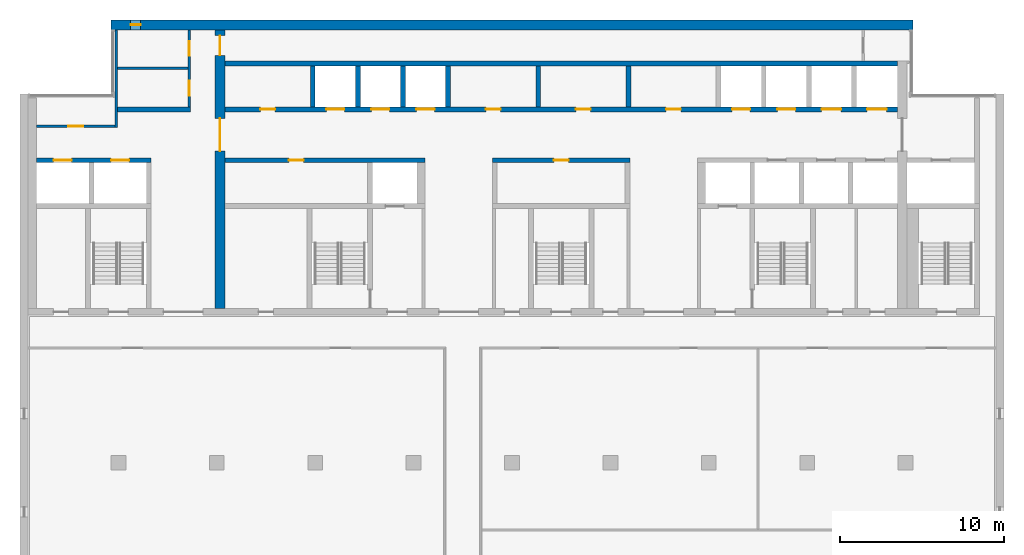
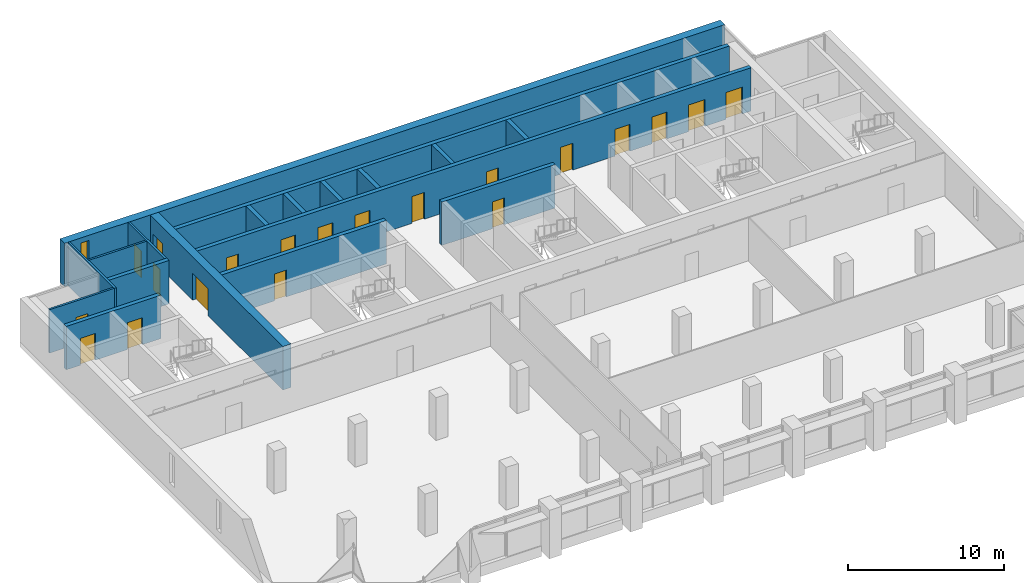
# One storey, part 10 of 14: 20 doors, 18 walls, 1 window, 21 openings.
"""IFC4 building model written with IfcOpenShell, lengths in metres."""

from ifc_helpers import new_model, si_unit, direction, frame, frame_2d, origin, place, context, subcontext, project, spatial, rectangle, extrude, material, layer, layer_set, type_object, element, fill, save


model = new_model("IFC4")

# Units and contexts
model_context = context("Model", 3, precision=1e-05, world=origin(), true_north=direction((0.0, 1.0)))
body_context = subcontext(model_context, "Body", "Model", "MODEL_VIEW")
ifc_project = project(units=[si_unit("LENGTHUNIT", "METRE"), si_unit("AREAUNIT", "SQUARE_METRE"), si_unit("VOLUMEUNIT", "CUBIC_METRE"), si_unit("PLANEANGLEUNIT", "RADIAN"), si_unit("MASSUNIT", "GRAM", prefix="KILO")], contexts=[model_context])

# Site, building, storey
site_placement = place(None, origin())
site = spatial("IfcSite", under=ifc_project, at=site_placement, CompositionType="ELEMENT")
building_placement = place(site_placement, origin())
building = spatial("IfcBuilding", under=site, at=building_placement, Name="Calvaro Tower", CompositionType="ELEMENT")
storey_placement = place(building_placement, frame((0.0, 0.0, 243.14990234375)))
storey = spatial("IfcBuildingStorey", under=building, at=storey_placement, Name="L61", CompositionType="ELEMENT", Elevation=243.14990234375)

# Wall
ifc_material_1 = material(Name="Blockwork partition", Category="masonry")
ifc_layer_1 = layer(ifc_material_1, 0.14990234375)
ifc_layer_set_1 = layer_set([ifc_layer_1], Name="Blockwork partition")
wall_type_1 = type_object("IfcWallType", Name="Core partition 150 EI 60", PredefinedType="PARTITIONING", material=ifc_layer_set_1)
wall_1_placement = place(storey_placement, frame((11.949951171875, 43.050048828125, 0.0), z_axis=(0.0, 0.0, 1.0), x_axis=(1.0, 0.0, 0.0)))
element("IfcWall", 1, at=wall_1_placement, inside=storey, type_object=wall_type_1, Name="Core partition", PredefinedType="PARTITIONING", context=body_context, shape_type="SweptSolid", body=[
    extrude(rectangle(XDim=4.300048828125, YDim=0.14990234375, at=frame_2d((2.14990234375, 0.0))), origin(), (0.0, 0.0, 1.0), 3.400146484375),
])

# Wall, openings, doors
ifc_material_2 = material(Name="Blockwork partition", Category="masonry")
ifc_layer_2 = layer(ifc_material_2, 0.14990234375)
ifc_layer_set_2 = layer_set([ifc_layer_2], Name="Blockwork partition")
wall_type_2 = type_object("IfcWallType", Name="Core partition 150 REI 120", PredefinedType="PARTITIONING", material=ifc_layer_set_2)
wall_2_placement = place(storey_placement, frame((16.324951171875, 45.39990234375, 0.0), z_axis=(0.0, 0.0, 1.0), x_axis=(0.0, -1.0, 0.0)))
wall_2 = element("IfcWall", 2, at=wall_2_placement, inside=storey, type_object=wall_type_2, Name="Core partition", PredefinedType="PARTITIONING", context=body_context, shape_type="SweptSolid", body=[
    extrude(rectangle(XDim=4.699951171875, YDim=0.14990234375, at=frame_2d((2.35009765625, 0.0))), origin(), (0.0, 0.0, 1.0), 3.400146484375),
])
opening_1_placement = place(wall_2_placement, frame((3.112548828125, 0.0, 0.0)))
opening_1 = element("IfcOpeningElement", 3, at=opening_1_placement, cuts=wall_2, Name="Opening RD9", PredefinedType="OPENING", context=body_context, shape_type="SweptSolid", body=[
    extrude(rectangle(XDim=0.89990234375, YDim=2.10009765625, at=frame_2d((0.449951171875, 1.050048828125))), frame((0.0, 0.0849609375, 0.0), z_axis=(0.0, -1.0, 0.0), x_axis=(1.0, 0.0, 0.0)), (0.0, 0.0, 1.0), 0.169921875),
])
opening_2_placement = place(wall_2_placement, frame((0.6875, 0.0, 0.0)))
opening_2 = element("IfcOpeningElement", 4, at=opening_2_placement, cuts=wall_2, Name="Opening RD9", PredefinedType="OPENING", context=body_context, shape_type="SweptSolid", body=[
    extrude(rectangle(XDim=0.89990234375, YDim=2.10009765625, at=frame_2d((0.449951171875, 1.050048828125))), frame((0.0, 0.0849609375, 0.0), z_axis=(0.0, -1.0, 0.0), x_axis=(1.0, 0.0, 0.0)), (0.0, 0.0, 1.0), 0.169921875),
])
ifc_material_3 = material(Name="Steel door set", Category="steel")
door_type_1 = type_object("IfcDoorType", Name="Room door 900", OperationType="SINGLE_SWING_LEFT", PredefinedType="DOOR", material=ifc_material_3)
door_1_placement = place(opening_1_placement, origin())
door_1 = element("IfcDoor", 5, at=door_1_placement, inside=storey, type_object=door_type_1, Name="Room door", OperationType="SINGLE_SWING_RIGHT", OverallHeight=2.10009765625, OverallWidth=0.89990234375, PredefinedType="DOOR", context=body_context, shape_type="SweptSolid", body=[
    extrude(rectangle(XDim=0.89990234375, YDim=2.10009765625, at=frame_2d((0.449951171875, 1.050048828125))), frame((0.0, 0.02490234375, 0.0), z_axis=(0.0, -1.0, 0.0), x_axis=(1.0, 0.0, 0.0)), (0.0, 0.0, 1.0), 0.050048828125),
])
fill(opening_1, door_1)
door_2_placement = place(opening_2_placement, origin())
door_2 = element("IfcDoor", 6, at=door_2_placement, inside=storey, type_object=door_type_1, Name="Room door", OperationType="SINGLE_SWING_LEFT", OverallHeight=2.10009765625, OverallWidth=0.89990234375, PredefinedType="DOOR", context=body_context, shape_type="SweptSolid", body=[
    extrude(rectangle(XDim=0.89990234375, YDim=2.10009765625, at=frame_2d((0.449951171875, 1.050048828125))), frame((0.0, 0.02490234375, 0.0), z_axis=(0.0, -1.0, 0.0), x_axis=(1.0, 0.0, 0.0)), (0.0, 0.0, 1.0), 0.050048828125),
])
fill(opening_2, door_2)

# Wall
wall_3_placement = place(storey_placement, frame((11.875, 39.449951171875, 0.0), z_axis=(0.0, 0.0, 1.0), x_axis=(0.0, 1.0, 0.0)))
element("IfcWall", 7, at=wall_3_placement, inside=storey, type_object=wall_type_2, Name="Core partition", PredefinedType="PARTITIONING", context=body_context, shape_type="SweptSolid", body=[
    extrude(rectangle(XDim=5.949951171875, YDim=0.14990234375, at=frame_2d((2.97509765625, 0.0))), origin(), (0.0, 0.0, 1.0), 3.400146484375),
])

# Wall, opening, door
wall_4_placement = place(storey_placement, frame((7.0, 39.52490234375, 0.0), z_axis=(0.0, 0.0, 1.0), x_axis=(1.0, 0.0, 0.0)))
wall_4 = element("IfcWall", 8, at=wall_4_placement, inside=storey, type_object=wall_type_2, Name="Core partition", PredefinedType="PARTITIONING", context=body_context, shape_type="SweptSolid", body=[
    extrude(rectangle(XDim=4.800048828125, YDim=0.14990234375, at=frame_2d((2.39990234375, 0.0))), origin(), (0.0, 0.0, 1.0), 3.400146484375),
])
opening_3_placement = place(wall_4_placement, frame((1.949951171875, 0.0, 0.0)))
opening_3 = element("IfcOpeningElement", 9, at=opening_3_placement, cuts=wall_4, Name="Opening RD9", PredefinedType="OPENING", context=body_context, shape_type="SweptSolid", body=[
    extrude(rectangle(XDim=0.89990234375, YDim=2.10009765625, at=frame_2d((0.449951171875, 1.050048828125))), frame((0.0, 0.0849609375, 0.0), z_axis=(0.0, -1.0, 0.0), x_axis=(1.0, 0.0, 0.0)), (0.0, 0.0, 1.0), 0.169921875),
])
door_3_placement = place(opening_3_placement, origin())
door_3 = element("IfcDoor", 10, at=door_3_placement, inside=storey, type_object=door_type_1, Name="Room door", OperationType="SINGLE_SWING_LEFT", OverallHeight=2.10009765625, OverallWidth=0.89990234375, PredefinedType="DOOR", context=body_context, shape_type="SweptSolid", body=[
    extrude(rectangle(XDim=0.89990234375, YDim=2.10009765625, at=frame_2d((0.449951171875, 1.050048828125))), frame((0.0, 0.02490234375, 0.0), z_axis=(0.0, -1.0, 0.0), x_axis=(1.0, 0.0, 0.0)), (0.0, 0.0, 1.0), 0.050048828125),
])
fill(opening_3, door_3)

# Walls
ifc_material_4 = material(Name="Blockwork partition", Category="masonry")
ifc_layer_3 = layer(ifc_material_4, 0.300048828125)
ifc_layer_set_3 = layer_set([ifc_layer_3], Name="Blockwork partition")
wall_type_3 = type_object("IfcWallType", Name="Core partition 300 EI 60", PredefinedType="PARTITIONING", material=ifc_layer_set_3)
wall_5_placement = place(storey_placement, frame((37.60009765625, 40.699951171875, 0.0), z_axis=(0.0, 0.0, 1.0), x_axis=(0.0, 1.0, 0.0)))
element("IfcWall", 11, at=wall_5_placement, inside=storey, type_object=wall_type_3, Name="Core partition", PredefinedType="PARTITIONING", context=body_context, shape_type="SweptSolid", body=[
    extrude(rectangle(XDim=2.5, YDim=0.300048828125, at=frame_2d((1.25, 0.0))), origin(), (0.0, 0.0, 1.0), 3.400146484375),
])
ifc_material_5 = material(Name="Blockwork partition", Category="masonry")
ifc_layer_4 = layer(ifc_material_5, 0.300048828125)
ifc_layer_set_4 = layer_set([ifc_layer_4], Name="Blockwork partition")
wall_type_4 = type_object("IfcWallType", Name="Core partition 300 REI 120", PredefinedType="PARTITIONING", material=ifc_layer_set_4)
wall_6_placement = place(storey_placement, frame((11.949951171875, 40.550048828125, 0.0), z_axis=(0.0, 0.0, 1.0), x_axis=(1.0, 0.0, 0.0)))
element("IfcWall", 12, at=wall_6_placement, inside=storey, type_object=wall_type_4, Name="Core partition", PredefinedType="PARTITIONING", context=body_context, shape_type="SweptSolid", body=[
    extrude(rectangle(XDim=4.449951171875, YDim=0.300048828125, at=frame_2d((2.22509765625, 0.0))), origin(), (0.0, 0.0, 1.0), 3.400146484375),
])
wall_7_placement = place(storey_placement, frame((43.10009765625, 40.699951171875, 0.0), z_axis=(0.0, 0.0, 1.0), x_axis=(0.0, 1.0, 0.0)))
element("IfcWall", 13, at=wall_7_placement, inside=storey, type_object=wall_type_4, Name="Core partition", PredefinedType="PARTITIONING", context=body_context, shape_type="SweptSolid", body=[
    extrude(rectangle(XDim=2.5, YDim=0.300048828125, at=frame_2d((1.25, 0.0))), origin(), (0.0, 0.0, 1.0), 3.400146484375),
])

# Wall, openings, doors
ifc_material_6 = material(Name="Concrete C40/50", Category="concrete")
ifc_layer_5 = layer(ifc_material_6, 0.300048828125)
ifc_layer_set_5 = layer_set([ifc_layer_5], Name="Concrete C40/50")
wall_type_5 = type_object("IfcWallType", Name="Core wall C40/50 300", PredefinedType="SHEAR", material=ifc_layer_set_5)
wall_8_placement = place(storey_placement, frame((7.0, 37.449951171875, 0.0), z_axis=(0.0, 0.0, 1.0), x_axis=(1.0, 0.0, 0.0)))
wall_8 = element("IfcWall", 14, at=wall_8_placement, inside=storey, type_object=wall_type_5, Name="Core wall, lift shaft", PredefinedType="SHEAR", context=body_context, shape_type="SweptSolid", body=[
    extrude(rectangle(XDim=7.0, YDim=0.300048828125, at=frame_2d((3.5, 0.0))), origin(), (0.0, 0.0, 1.0), 3.400146484375),
])
opening_4_placement = place(wall_8_placement, frame((1.050048828125, 0.0, 0.0)))
opening_4 = element("IfcOpeningElement", 15, at=opening_4_placement, cuts=wall_8, Name="Opening EX1", PredefinedType="OPENING", context=body_context, shape_type="SweptSolid", body=[
    extrude(rectangle(XDim=1.10009765625, YDim=2.10009765625, at=frame_2d((0.550048828125, 1.050048828125))), frame((0.0, 0.159912109375, 0.0), z_axis=(0.0, -1.0, 0.0), x_axis=(1.0, 0.0, 0.0)), (0.0, 0.0, 1.0), 0.320068359375),
])
opening_5_placement = place(wall_8_placement, frame((4.550048828125, 0.0, 0.0)))
opening_5 = element("IfcOpeningElement", 16, at=opening_5_placement, cuts=wall_8, Name="Opening EX2", PredefinedType="OPENING", context=body_context, shape_type="SweptSolid", body=[
    extrude(rectangle(XDim=1.10009765625, YDim=2.10009765625, at=frame_2d((0.550048828125, 1.050048828125))), frame((0.0, 0.159912109375, 0.0), z_axis=(0.0, -1.0, 0.0), x_axis=(1.0, 0.0, 0.0)), (0.0, 0.0, 1.0), 0.320068359375),
])
ifc_material_7 = material(Name="Stainless steel", Category="steel")
door_type_2 = type_object("IfcDoorType", Name="Landing door 1100 E 60", OperationType="SLIDING_TO_LEFT", PredefinedType="DOOR", material=ifc_material_7)
door_4_placement = place(opening_4_placement, origin())
door_4 = element("IfcDoor", 17, at=door_4_placement, inside=storey, type_object=door_type_2, Name="Landing door EX1", OperationType="SLIDING_TO_LEFT", OverallHeight=2.10009765625, OverallWidth=1.10009765625, PredefinedType="DOOR", context=body_context, shape_type="SweptSolid", body=[
    extrude(rectangle(XDim=1.10009765625, YDim=2.10009765625, at=frame_2d((0.550048828125, 1.050048828125))), frame((0.0, 0.02490234375, 0.0), z_axis=(0.0, -1.0, 0.0), x_axis=(1.0, 0.0, 0.0)), (0.0, 0.0, 1.0), 0.050048828125),
])
fill(opening_4, door_4)
door_5_placement = place(opening_5_placement, origin())
door_5 = element("IfcDoor", 18, at=door_5_placement, inside=storey, type_object=door_type_2, Name="Landing door EX2", OperationType="SLIDING_TO_LEFT", OverallHeight=2.10009765625, OverallWidth=1.10009765625, PredefinedType="DOOR", context=body_context, shape_type="SweptSolid", body=[
    extrude(rectangle(XDim=1.10009765625, YDim=2.10009765625, at=frame_2d((0.550048828125, 1.050048828125))), frame((0.0, 0.02490234375, 0.0), z_axis=(0.0, -1.0, 0.0), x_axis=(1.0, 0.0, 0.0)), (0.0, 0.0, 1.0), 0.050048828125),
])
fill(opening_5, door_5)

# Wall, opening, door
wall_9_placement = place(storey_placement, frame((30.699951171875, 37.449951171875, 0.0), z_axis=(0.0, 0.0, 1.0), x_axis=(-1.0, 0.0, 0.0)))
wall_9 = element("IfcWall", 19, at=wall_9_placement, inside=storey, type_object=wall_type_5, Name="Core wall, bay", PredefinedType="SHEAR", context=body_context, shape_type="SweptSolid", body=[
    extrude(rectangle(XDim=12.199951171875, YDim=0.300048828125, at=frame_2d((6.10009765625, 0.0))), origin(), (0.0, 0.0, 1.0), 3.400146484375),
])
opening_6_placement = place(wall_9_placement, frame((7.39990234375, 0.0, 0.0)))
opening_6 = element("IfcOpeningElement", 20, at=opening_6_placement, cuts=wall_9, Name="Opening RD9E", PredefinedType="OPENING", context=body_context, shape_type="SweptSolid", body=[
    extrude(rectangle(XDim=0.89990234375, YDim=2.10009765625, at=frame_2d((0.449951171875, 1.050048828125))), frame((0.0, 0.159912109375, 0.0), z_axis=(0.0, -1.0, 0.0), x_axis=(1.0, 0.0, 0.0)), (0.0, 0.0, 1.0), 0.320068359375),
])
ifc_material_8 = material(Name="Steel door set", Category="steel")
door_type_3 = type_object("IfcDoorType", Name="Room door 900 FD60", OperationType="SINGLE_SWING_LEFT", PredefinedType="DOOR", material=ifc_material_8)
door_6_placement = place(opening_6_placement, origin())
door_6 = element("IfcDoor", 21, at=door_6_placement, inside=storey, type_object=door_type_3, Name="Room door", OperationType="SINGLE_SWING_LEFT", OverallHeight=2.10009765625, OverallWidth=0.89990234375, PredefinedType="DOOR", context=body_context, shape_type="SweptSolid", body=[
    extrude(rectangle(XDim=0.89990234375, YDim=2.10009765625, at=frame_2d((0.449951171875, 1.050048828125))), frame((0.0, 0.02490234375, 0.0), z_axis=(0.0, -1.0, 0.0), x_axis=(1.0, 0.0, 0.0)), (0.0, 0.0, 1.0), 0.050048828125),
])
fill(opening_6, door_6)

wall_10_placement = place(storey_placement, frame((43.199951171875, 37.449951171875, 0.0), z_axis=(0.0, 0.0, 1.0), x_axis=(-1.0, 0.0, 0.0)))
wall_10 = element("IfcWall", 22, at=wall_10_placement, inside=storey, type_object=wall_type_5, Name="Core wall, bay", PredefinedType="SHEAR", context=body_context, shape_type="SweptSolid", body=[
    extrude(rectangle(XDim=8.39990234375, YDim=0.300048828125, at=frame_2d((4.199951171875, 0.0))), origin(), (0.0, 0.0, 1.0), 3.400146484375),
])
opening_7_placement = place(wall_10_placement, frame((3.75, 0.0, 0.0)))
opening_7 = element("IfcOpeningElement", 23, at=opening_7_placement, cuts=wall_10, Name="Opening RD9E", PredefinedType="OPENING", context=body_context, shape_type="SweptSolid", body=[
    extrude(rectangle(XDim=0.89990234375, YDim=2.10009765625, at=frame_2d((0.449951171875, 1.050048828125))), frame((0.0, 0.159912109375, 0.0), z_axis=(0.0, -1.0, 0.0), x_axis=(1.0, 0.0, 0.0)), (0.0, 0.0, 1.0), 0.320068359375),
])
door_7_placement = place(opening_7_placement, origin())
door_7 = element("IfcDoor", 24, at=door_7_placement, inside=storey, type_object=door_type_3, Name="Room door", OperationType="SINGLE_SWING_RIGHT", OverallHeight=2.10009765625, OverallWidth=0.89990234375, PredefinedType="DOOR", context=body_context, shape_type="SweptSolid", body=[
    extrude(rectangle(XDim=0.89990234375, YDim=2.10009765625, at=frame_2d((0.449951171875, 1.050048828125))), frame((0.0, 0.02490234375, 0.0), z_axis=(0.0, -1.0, 0.0), x_axis=(1.0, 0.0, 0.0)), (0.0, 0.0, 1.0), 0.050048828125),
])
fill(opening_7, door_7)

# Wall, openings, doors
wall_11_placement = place(storey_placement, frame((18.5, 40.550048828125, 0.0), z_axis=(0.0, 0.0, 1.0), x_axis=(1.0, 0.0, 0.0)))
wall_11 = element("IfcWall", 25, at=wall_11_placement, inside=storey, type_object=wall_type_5, Name="Core wall, bay", PredefinedType="SHEAR", context=body_context, shape_type="SweptSolid", body=[
    extrude(rectangle(XDim=41.0, YDim=0.300048828125, at=frame_2d((20.5, 0.0))), origin(), (0.0, 0.0, 1.0), 3.400146484375),
])
opening_8_placement = place(wall_11_placement, frame((2.14990234375, 0.0, 0.0)))
opening_8 = element("IfcOpeningElement", 26, at=opening_8_placement, cuts=wall_11, Name="Opening RD9E", PredefinedType="OPENING", context=body_context, shape_type="SweptSolid", body=[
    extrude(rectangle(XDim=0.89990234375, YDim=2.10009765625, at=frame_2d((0.449951171875, 1.050048828125))), frame((0.0, 0.159912109375, 0.0), z_axis=(0.0, -1.0, 0.0), x_axis=(1.0, 0.0, 0.0)), (0.0, 0.0, 1.0), 0.320068359375),
])
opening_9_placement = place(wall_11_placement, frame((15.89990234375, 0.0, 0.0)))
opening_9 = element("IfcOpeningElement", 27, at=opening_9_placement, cuts=wall_11, Name="Opening RD9E", PredefinedType="OPENING", context=body_context, shape_type="SweptSolid", body=[
    extrude(rectangle(XDim=0.89990234375, YDim=2.10009765625, at=frame_2d((0.449951171875, 1.050048828125))), frame((0.0, 0.159912109375, 0.0), z_axis=(0.0, -1.0, 0.0), x_axis=(1.0, 0.0, 0.0)), (0.0, 0.0, 1.0), 0.320068359375),
])
opening_10_placement = place(wall_11_placement, frame((21.39990234375, 0.0, 0.0)))
opening_10 = element("IfcOpeningElement", 28, at=opening_10_placement, cuts=wall_11, Name="Opening RD9E", PredefinedType="OPENING", context=body_context, shape_type="SweptSolid", body=[
    extrude(rectangle(XDim=0.89990234375, YDim=2.10009765625, at=frame_2d((0.449951171875, 1.050048828125))), frame((0.0, 0.159912109375, 0.0), z_axis=(0.0, -1.0, 0.0), x_axis=(1.0, 0.0, 0.0)), (0.0, 0.0, 1.0), 0.320068359375),
])
opening_11_placement = place(wall_11_placement, frame((26.89990234375, 0.0, 0.0)))
opening_11 = element("IfcOpeningElement", 29, at=opening_11_placement, cuts=wall_11, Name="Opening RD9E", PredefinedType="OPENING", context=body_context, shape_type="SweptSolid", body=[
    extrude(rectangle(XDim=0.89990234375, YDim=2.10009765625, at=frame_2d((0.449951171875, 1.050048828125))), frame((0.0, 0.159912109375, 0.0), z_axis=(0.0, -1.0, 0.0), x_axis=(1.0, 0.0, 0.0)), (0.0, 0.0, 1.0), 0.320068359375),
])
opening_12_placement = place(wall_11_placement, frame((6.175048828125, 0.0, 0.0)))
opening_12 = element("IfcOpeningElement", 30, at=opening_12_placement, cuts=wall_11, Name="Opening HR4", PredefinedType="OPENING", context=body_context, shape_type="SweptSolid", body=[
    extrude(rectangle(XDim=1.10009765625, YDim=2.10009765625, at=frame_2d((0.550048828125, 1.050048828125))), frame((0.0, 0.159912109375, 0.0), z_axis=(0.0, -1.0, 0.0), x_axis=(1.0, 0.0, 0.0)), (0.0, 0.0, 1.0), 0.320068359375),
])
opening_13_placement = place(wall_11_placement, frame((8.925048828125, 0.0, 0.0)))
opening_13 = element("IfcOpeningElement", 31, at=opening_13_placement, cuts=wall_11, Name="Opening HR5", PredefinedType="OPENING", context=body_context, shape_type="SweptSolid", body=[
    extrude(rectangle(XDim=1.10009765625, YDim=2.10009765625, at=frame_2d((0.550048828125, 1.050048828125))), frame((0.0, 0.159912109375, 0.0), z_axis=(0.0, -1.0, 0.0), x_axis=(1.0, 0.0, 0.0)), (0.0, 0.0, 1.0), 0.320068359375),
])
opening_14_placement = place(wall_11_placement, frame((11.675048828125, 0.0, 0.0)))
opening_14 = element("IfcOpeningElement", 32, at=opening_14_placement, cuts=wall_11, Name="Opening HR6", PredefinedType="OPENING", context=body_context, shape_type="SweptSolid", body=[
    extrude(rectangle(XDim=1.10009765625, YDim=2.10009765625, at=frame_2d((0.550048828125, 1.050048828125))), frame((0.0, 0.159912109375, 0.0), z_axis=(0.0, -1.0, 0.0), x_axis=(1.0, 0.0, 0.0)), (0.0, 0.0, 1.0), 0.320068359375),
])
opening_15_placement = place(wall_11_placement, frame((30.925048828125, 0.0, 0.0)))
opening_15 = element("IfcOpeningElement", 33, at=opening_15_placement, cuts=wall_11, Name="Opening HR7", PredefinedType="OPENING", context=body_context, shape_type="SweptSolid", body=[
    extrude(rectangle(XDim=1.10009765625, YDim=2.10009765625, at=frame_2d((0.550048828125, 1.050048828125))), frame((0.0, 0.159912109375, 0.0), z_axis=(0.0, -1.0, 0.0), x_axis=(1.0, 0.0, 0.0)), (0.0, 0.0, 1.0), 0.320068359375),
])
opening_16_placement = place(wall_11_placement, frame((33.675048828125, 0.0, 0.0)))
opening_16 = element("IfcOpeningElement", 34, at=opening_16_placement, cuts=wall_11, Name="Opening HR8", PredefinedType="OPENING", context=body_context, shape_type="SweptSolid", body=[
    extrude(rectangle(XDim=1.10009765625, YDim=2.10009765625, at=frame_2d((0.550048828125, 1.050048828125))), frame((0.0, 0.159912109375, 0.0), z_axis=(0.0, -1.0, 0.0), x_axis=(1.0, 0.0, 0.0)), (0.0, 0.0, 1.0), 0.320068359375),
])
opening_17_placement = place(wall_11_placement, frame((36.375, 0.0, 0.0)))
opening_17 = element("IfcOpeningElement", 35, at=opening_17_placement, cuts=wall_11, Name="Opening SV1", PredefinedType="OPENING", context=body_context, shape_type="SweptSolid", body=[
    extrude(rectangle(XDim=1.199951171875, YDim=2.10009765625, at=frame_2d((0.60009765625, 1.050048828125))), frame((0.0, 0.159912109375, 0.0), z_axis=(0.0, -1.0, 0.0), x_axis=(1.0, 0.0, 0.0)), (0.0, 0.0, 1.0), 0.320068359375),
])
opening_18_placement = place(wall_11_placement, frame((39.14990234375, 0.0, 0.0)))
opening_18 = element("IfcOpeningElement", 36, at=opening_18_placement, cuts=wall_11, Name="Opening SV2", PredefinedType="OPENING", context=body_context, shape_type="SweptSolid", body=[
    extrude(rectangle(XDim=1.199951171875, YDim=2.10009765625, at=frame_2d((0.60009765625, 1.050048828125))), frame((0.0, 0.159912109375, 0.0), z_axis=(0.0, -1.0, 0.0), x_axis=(1.0, 0.0, 0.0)), (0.0, 0.0, 1.0), 0.320068359375),
])
door_8_placement = place(opening_12_placement, origin())
door_8 = element("IfcDoor", 37, at=door_8_placement, inside=storey, type_object=door_type_2, Name="Landing door HR4", OperationType="SLIDING_TO_LEFT", OverallHeight=2.10009765625, OverallWidth=1.10009765625, PredefinedType="DOOR", context=body_context, shape_type="SweptSolid", body=[
    extrude(rectangle(XDim=1.10009765625, YDim=2.10009765625, at=frame_2d((0.550048828125, 1.050048828125))), frame((0.0, 0.02490234375, 0.0), z_axis=(0.0, -1.0, 0.0), x_axis=(1.0, 0.0, 0.0)), (0.0, 0.0, 1.0), 0.050048828125),
])
fill(opening_12, door_8)
door_9_placement = place(opening_13_placement, origin())
door_9 = element("IfcDoor", 38, at=door_9_placement, inside=storey, type_object=door_type_2, Name="Landing door HR5", OperationType="SLIDING_TO_LEFT", OverallHeight=2.10009765625, OverallWidth=1.10009765625, PredefinedType="DOOR", context=body_context, shape_type="SweptSolid", body=[
    extrude(rectangle(XDim=1.10009765625, YDim=2.10009765625, at=frame_2d((0.550048828125, 1.050048828125))), frame((0.0, 0.02490234375, 0.0), z_axis=(0.0, -1.0, 0.0), x_axis=(1.0, 0.0, 0.0)), (0.0, 0.0, 1.0), 0.050048828125),
])
fill(opening_13, door_9)
door_10_placement = place(opening_14_placement, origin())
door_10 = element("IfcDoor", 39, at=door_10_placement, inside=storey, type_object=door_type_2, Name="Landing door HR6", OperationType="SLIDING_TO_LEFT", OverallHeight=2.10009765625, OverallWidth=1.10009765625, PredefinedType="DOOR", context=body_context, shape_type="SweptSolid", body=[
    extrude(rectangle(XDim=1.10009765625, YDim=2.10009765625, at=frame_2d((0.550048828125, 1.050048828125))), frame((0.0, 0.02490234375, 0.0), z_axis=(0.0, -1.0, 0.0), x_axis=(1.0, 0.0, 0.0)), (0.0, 0.0, 1.0), 0.050048828125),
])
fill(opening_14, door_10)
door_11_placement = place(opening_15_placement, origin())
door_11 = element("IfcDoor", 40, at=door_11_placement, inside=storey, type_object=door_type_2, Name="Landing door HR7", OperationType="SLIDING_TO_LEFT", OverallHeight=2.10009765625, OverallWidth=1.10009765625, PredefinedType="DOOR", context=body_context, shape_type="SweptSolid", body=[
    extrude(rectangle(XDim=1.10009765625, YDim=2.10009765625, at=frame_2d((0.550048828125, 1.050048828125))), frame((0.0, 0.02490234375, 0.0), z_axis=(0.0, -1.0, 0.0), x_axis=(1.0, 0.0, 0.0)), (0.0, 0.0, 1.0), 0.050048828125),
])
fill(opening_15, door_11)
door_12_placement = place(opening_16_placement, origin())
door_12 = element("IfcDoor", 41, at=door_12_placement, inside=storey, type_object=door_type_2, Name="Landing door HR8", OperationType="SLIDING_TO_LEFT", OverallHeight=2.10009765625, OverallWidth=1.10009765625, PredefinedType="DOOR", context=body_context, shape_type="SweptSolid", body=[
    extrude(rectangle(XDim=1.10009765625, YDim=2.10009765625, at=frame_2d((0.550048828125, 1.050048828125))), frame((0.0, 0.02490234375, 0.0), z_axis=(0.0, -1.0, 0.0), x_axis=(1.0, 0.0, 0.0)), (0.0, 0.0, 1.0), 0.050048828125),
])
fill(opening_16, door_12)
ifc_material_9 = material(Name="Stainless steel", Category="steel")
door_type_4 = type_object("IfcDoorType", Name="Landing door 1200 E 60", OperationType="SLIDING_TO_LEFT", PredefinedType="DOOR", material=ifc_material_9)
door_13_placement = place(opening_17_placement, origin())
door_13 = element("IfcDoor", 42, at=door_13_placement, inside=storey, type_object=door_type_4, Name="Landing door SV1", OperationType="SLIDING_TO_LEFT", OverallHeight=2.10009765625, OverallWidth=1.199951171875, PredefinedType="DOOR", context=body_context, shape_type="SweptSolid", body=[
    extrude(rectangle(XDim=1.199951171875, YDim=2.10009765625, at=frame_2d((0.60009765625, 1.050048828125))), frame((0.0, 0.02490234375, 0.0), z_axis=(0.0, -1.0, 0.0), x_axis=(1.0, 0.0, 0.0)), (0.0, 0.0, 1.0), 0.050048828125),
])
fill(opening_17, door_13)
door_14_placement = place(opening_18_placement, origin())
door_14 = element("IfcDoor", 43, at=door_14_placement, inside=storey, type_object=door_type_4, Name="Landing door SV2", OperationType="SLIDING_TO_LEFT", OverallHeight=2.10009765625, OverallWidth=1.199951171875, PredefinedType="DOOR", context=body_context, shape_type="SweptSolid", body=[
    extrude(rectangle(XDim=1.199951171875, YDim=2.10009765625, at=frame_2d((0.60009765625, 1.050048828125))), frame((0.0, 0.02490234375, 0.0), z_axis=(0.0, -1.0, 0.0), x_axis=(1.0, 0.0, 0.0)), (0.0, 0.0, 1.0), 0.050048828125),
])
fill(opening_18, door_14)
door_15_placement = place(opening_8_placement, origin())
door_15 = element("IfcDoor", 44, at=door_15_placement, inside=storey, type_object=door_type_3, Name="Room door", OperationType="SINGLE_SWING_RIGHT", OverallHeight=2.10009765625, OverallWidth=0.89990234375, PredefinedType="DOOR", context=body_context, shape_type="SweptSolid", body=[
    extrude(rectangle(XDim=0.89990234375, YDim=2.10009765625, at=frame_2d((0.449951171875, 1.050048828125))), frame((0.0, 0.02490234375, 0.0), z_axis=(0.0, -1.0, 0.0), x_axis=(1.0, 0.0, 0.0)), (0.0, 0.0, 1.0), 0.050048828125),
])
fill(opening_8, door_15)
door_16_placement = place(opening_9_placement, origin())
door_16 = element("IfcDoor", 45, at=door_16_placement, inside=storey, type_object=door_type_3, Name="Room door", OperationType="SINGLE_SWING_LEFT", OverallHeight=2.10009765625, OverallWidth=0.89990234375, PredefinedType="DOOR", context=body_context, shape_type="SweptSolid", body=[
    extrude(rectangle(XDim=0.89990234375, YDim=2.10009765625, at=frame_2d((0.449951171875, 1.050048828125))), frame((0.0, 0.02490234375, 0.0), z_axis=(0.0, -1.0, 0.0), x_axis=(1.0, 0.0, 0.0)), (0.0, 0.0, 1.0), 0.050048828125),
])
fill(opening_9, door_16)
door_17_placement = place(opening_10_placement, origin())
door_17 = element("IfcDoor", 46, at=door_17_placement, inside=storey, type_object=door_type_3, Name="Room door", OperationType="SINGLE_SWING_LEFT", OverallHeight=2.10009765625, OverallWidth=0.89990234375, PredefinedType="DOOR", context=body_context, shape_type="SweptSolid", body=[
    extrude(rectangle(XDim=0.89990234375, YDim=2.10009765625, at=frame_2d((0.449951171875, 1.050048828125))), frame((0.0, 0.02490234375, 0.0), z_axis=(0.0, -1.0, 0.0), x_axis=(1.0, 0.0, 0.0)), (0.0, 0.0, 1.0), 0.050048828125),
])
fill(opening_10, door_17)
door_18_placement = place(opening_11_placement, origin())
door_18 = element("IfcDoor", 47, at=door_18_placement, inside=storey, type_object=door_type_3, Name="Room door", OperationType="SINGLE_SWING_LEFT", OverallHeight=2.10009765625, OverallWidth=0.89990234375, PredefinedType="DOOR", context=body_context, shape_type="SweptSolid", body=[
    extrude(rectangle(XDim=0.89990234375, YDim=2.10009765625, at=frame_2d((0.449951171875, 1.050048828125))), frame((0.0, 0.02490234375, 0.0), z_axis=(0.0, -1.0, 0.0), x_axis=(1.0, 0.0, 0.0)), (0.0, 0.0, 1.0), 0.050048828125),
])
fill(opening_11, door_18)

# Walls
wall_12_placement = place(storey_placement, frame((18.5, 43.35009765625, 0.0), z_axis=(0.0, 0.0, 1.0), x_axis=(1.0, 0.0, 0.0)))
element("IfcWall", 48, at=wall_12_placement, inside=storey, type_object=wall_type_5, Name="Core wall, lift shaft", PredefinedType="SHEAR", context=body_context, shape_type="SweptSolid", body=[
    extrude(rectangle(XDim=41.0, YDim=0.300048828125, at=frame_2d((20.5, 0.0))), origin(), (0.0, 0.0, 1.0), 3.400146484375),
])
for number, where, z_axis, x_axis, name in (
    (49, (23.85009765625, 40.699951171875, 0.0), (0.0, 0.0, 1.0), (0.0, 1.0, 0.0), "Core wall, lift shaft"),
    (50, (26.60009765625, 40.699951171875, 0.0), (0.0, 0.0, 1.0), (0.0, 1.0, 0.0), "Core wall, lift shaft"),
    (51, (29.35009765625, 40.699951171875, 0.0), (0.0, 0.0, 1.0), (0.0, 1.0, 0.0), "Core wall, lift shaft"),
    (52, (32.10009765625, 40.699951171875, 0.0), (0.0, 0.0, 1.0), (0.0, 1.0, 0.0), "Core wall, lift shaft"),
):
    element("IfcWall", number, at=place(storey_placement, frame(where, z_axis=z_axis, x_axis=x_axis)), inside=storey, type_object=wall_type_5, Name=name, PredefinedType="SHEAR", context=body_context, shape_type="SweptSolid", body=[
        extrude(rectangle(XDim=2.5, YDim=0.300048828125, at=frame_2d((1.25, 0.0))), origin(), (0.0, 0.0, 1.0), 3.400146484375),
    ])

# Wall, openings, doors
ifc_material_10 = material(Name="Concrete C40/50", Category="concrete")
ifc_layer_6 = layer(ifc_material_10, 0.60009765625)
ifc_layer_set_6 = layer_set([ifc_layer_6], Name="Concrete C40/50")
wall_type_6 = type_object("IfcWallType", Name="Core wall C40/50 600", PredefinedType="SHEAR", material=ifc_layer_set_6)
wall_13_placement = place(storey_placement, frame((18.199951171875, 28.39990234375, 0.0), z_axis=(0.0, 0.0, 1.0), x_axis=(0.0, 1.0, 0.0)))
wall_13 = element("IfcWall", 53, at=wall_13_placement, inside=storey, type_object=wall_type_6, Name="Core wall, cross shear wall", PredefinedType="SHEAR", context=body_context, shape_type="SweptSolid", body=[
    extrude(rectangle(XDim=17.0, YDim=0.60009765625, at=frame_2d((8.5, 0.0))), origin(), (0.0, 0.0, 1.0), 3.400146484375),
])
opening_19_placement = place(wall_13_placement, frame((9.60009765625, 0.0, 0.0)))
opening_19 = element("IfcOpeningElement", 54, at=opening_19_placement, cuts=wall_13, Name="Opening DD20D", PredefinedType="OPENING", context=body_context, shape_type="SweptSolid", body=[
    extrude(rectangle(XDim=2.0, YDim=2.10009765625, at=frame_2d((1.0, 1.050048828125))), frame((0.0, 0.31005859375, 0.0), z_axis=(0.0, -1.0, 0.0), x_axis=(1.0, 0.0, 0.0)), (0.0, 0.0, 1.0), 0.6201171875),
])
opening_20_placement = place(wall_13_placement, frame((15.449951171875, 0.0, 0.0)))
opening_20 = element("IfcOpeningElement", 55, at=opening_20_placement, cuts=wall_13, Name="Opening FD12C", PredefinedType="OPENING", context=body_context, shape_type="SweptSolid", body=[
    extrude(rectangle(XDim=1.199951171875, YDim=2.10009765625, at=frame_2d((0.60009765625, 1.050048828125))), frame((0.0, 0.31005859375, 0.0), z_axis=(0.0, -1.0, 0.0), x_axis=(1.0, 0.0, 0.0)), (0.0, 0.0, 1.0), 0.6201171875),
])
ifc_material_11 = material(Name="Steel door set", Category="steel")
door_type_5 = type_object("IfcDoorType", Name="Fire door 1200 FD30", OperationType="SINGLE_SWING_LEFT", PredefinedType="DOOR", material=ifc_material_11)
door_19_placement = place(opening_20_placement, origin())
door_19 = element("IfcDoor", 56, at=door_19_placement, inside=storey, type_object=door_type_5, Name="Fire door", OperationType="SINGLE_SWING_RIGHT", OverallHeight=2.10009765625, OverallWidth=1.199951171875, PredefinedType="DOOR", context=body_context, shape_type="SweptSolid", body=[
    extrude(rectangle(XDim=1.199951171875, YDim=2.10009765625, at=frame_2d((0.60009765625, 1.050048828125))), frame((0.0, 0.02490234375, 0.0), z_axis=(0.0, -1.0, 0.0), x_axis=(1.0, 0.0, 0.0)), (0.0, 0.0, 1.0), 0.050048828125),
])
fill(opening_20, door_19)
ifc_material_12 = material(Name="Steel door set", Category="steel")
door_type_6 = type_object("IfcDoorType", Name="Lobby double door 2000 FD30S", OperationType="DOUBLE_DOOR_SINGLE_SWING", PredefinedType="DOOR", material=ifc_material_12)
door_20_placement = place(opening_19_placement, origin())
door_20 = element("IfcDoor", 57, at=door_20_placement, inside=storey, type_object=door_type_6, Name="Lobby double door", OperationType="DOUBLE_DOOR_SINGLE_SWING", OverallHeight=2.10009765625, OverallWidth=2.0, PredefinedType="DOOR", context=body_context, shape_type="SweptSolid", body=[
    extrude(rectangle(XDim=2.0, YDim=2.10009765625, at=frame_2d((1.0, 1.050048828125))), frame((0.0, 0.02490234375, 0.0), z_axis=(0.0, -1.0, 0.0), x_axis=(1.0, 0.0, 0.0)), (0.0, 0.0, 1.0), 0.050048828125),
])
fill(opening_19, door_20)

# Wall, opening, window
ifc_material_13 = material(Name="Concrete C40/50", Category="concrete")
ifc_layer_7 = layer(ifc_material_13, 0.60009765625)
ifc_layer_set_7 = layer_set([ifc_layer_7], Name="Concrete C40/50")
wall_type_7 = type_object("IfcWallType", Name="Rear core wall 600 C40/50", PredefinedType="SHEAR", material=ifc_layer_set_7)
wall_14_placement = place(storey_placement, frame((11.550048828125, 45.699951171875, 0.0), z_axis=(0.0, 0.0, 1.0), x_axis=(1.0, 0.0, 0.0)))
wall_14 = element("IfcWall", 58, at=wall_14_placement, inside=storey, type_object=wall_type_7, Name="North core wall", PredefinedType="SHEAR", context=body_context, shape_type="SweptSolid", body=[
    extrude(rectangle(XDim=48.89990234375, YDim=0.60009765625, at=frame_2d((24.449951171875, 0.0))), origin(), (0.0, 0.0, 1.0), 3.400146484375),
])
opening_21_placement = place(wall_14_placement, frame((1.199951171875, 0.0, 0.60009765625)))
opening_21 = element("IfcOpeningElement", 59, at=opening_21_placement, cuts=wall_14, Name="Opening WN01", PredefinedType="OPENING", context=body_context, shape_type="SweptSolid", body=[
    extrude(rectangle(XDim=0.60009765625, YDim=2.39990234375, at=frame_2d((0.300048828125, 1.199951171875))), frame((0.0, 0.31005859375, 0.0), z_axis=(0.0, -1.0, 0.0), x_axis=(1.0, 0.0, 0.0)), (0.0, 0.0, 1.0), 0.6201171875),
])
ifc_material_14 = material(Name="Glass", Category="glass")
window_type = type_object("IfcWindowType", Name="Slit window 600 x 2400", PartitioningType="SINGLE_PANEL", PredefinedType="WINDOW", material=ifc_material_14)
window_placement = place(opening_21_placement, origin())
window = element("IfcWindow", 60, at=window_placement, inside=storey, type_object=window_type, Name="Window WN01", OverallHeight=2.39990234375, OverallWidth=0.60009765625, PartitioningType="SINGLE_PANEL", PredefinedType="WINDOW", context=body_context, shape_type="SweptSolid", body=[
    extrude(rectangle(XDim=0.60009765625, YDim=2.39990234375, at=frame_2d((0.300048828125, 1.199951171875))), frame((0.0, 0.030029296875, 0.0), z_axis=(0.0, -1.0, 0.0), x_axis=(1.0, 0.0, 0.0)), (0.0, 0.0, 1.0), 0.06005859375),
])
fill(opening_21, window)

save(model, "model.ifc")
